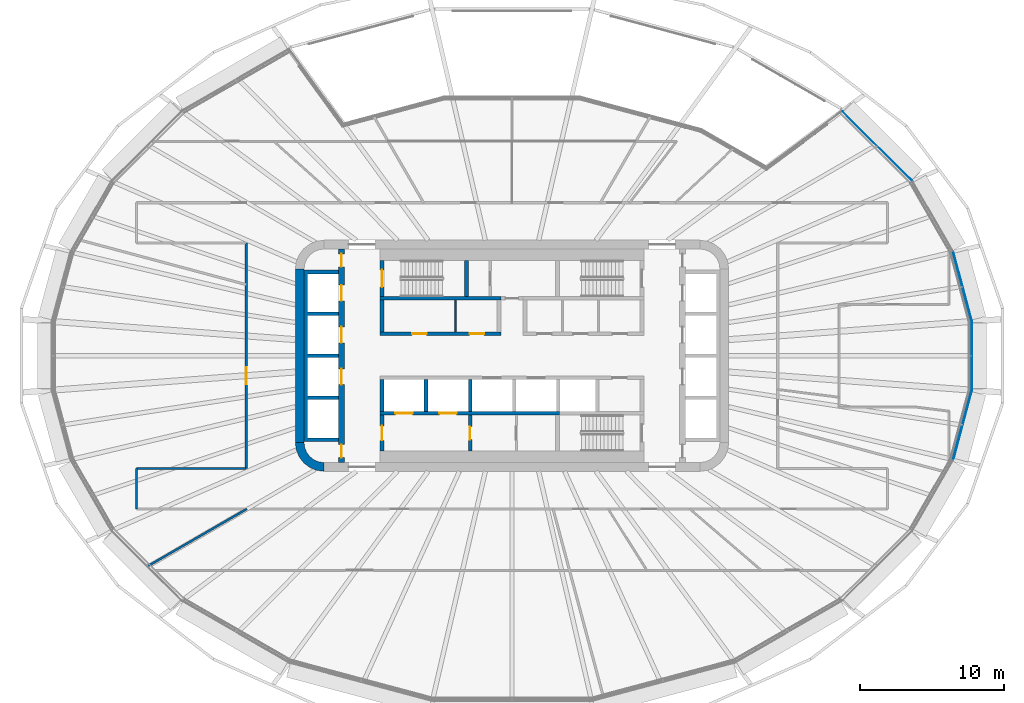
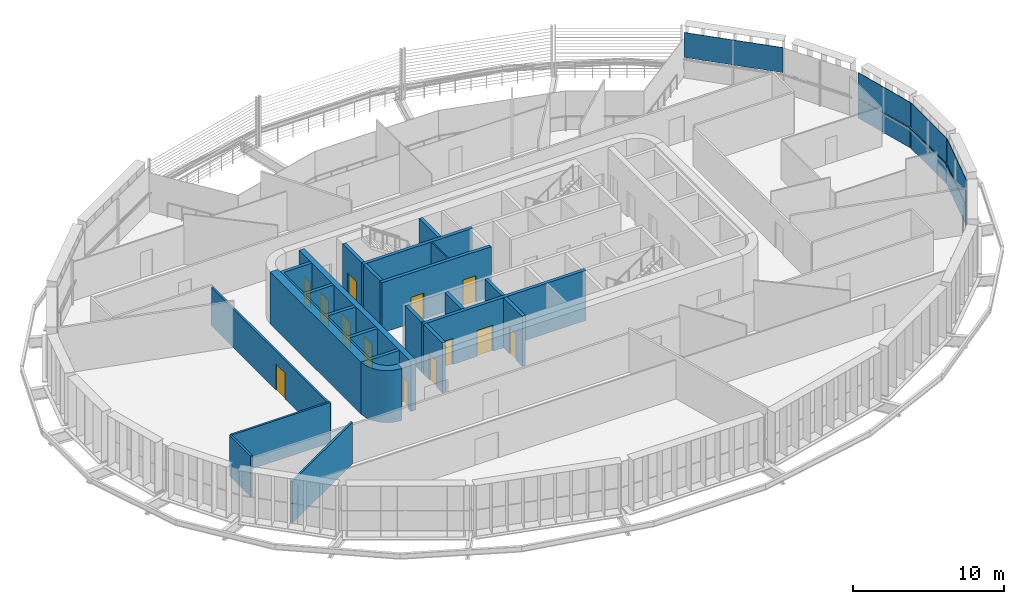
# One storey, part 13 of 24: 20 walls, 13 doors, 7 plates, 13 openings, 4 elements without a shape of their own.
"""IFC4 building model written with IfcOpenShell, lengths in metres."""

from ifc_helpers import new_model, si_unit, direction, frame, frame_2d, origin, place, context, subcontext, project, spatial, polyline, rectangle, outline, extrude, material, layer, layer_set, type_object, element, fill, aggregate, save


model = new_model("IFC4")

# Units and contexts
model_context = context("Model", 3, precision=1e-05, world=origin(), true_north=direction((0.0, 1.0)))
body_context = subcontext(model_context, "Body", "Model", "MODEL_VIEW")
ifc_project = project(units=[si_unit("LENGTHUNIT", "METRE"), si_unit("AREAUNIT", "SQUARE_METRE"), si_unit("VOLUMEUNIT", "CUBIC_METRE"), si_unit("PLANEANGLEUNIT", "RADIAN"), si_unit("MASSUNIT", "GRAM", prefix="KILO")], contexts=[model_context])

# Site, building, storey
site_placement = place(None, origin())
site = spatial("IfcSite", under=ifc_project, at=site_placement, CompositionType="ELEMENT")
building_placement = place(site_placement, origin())
building = spatial("IfcBuilding", under=site, at=building_placement, Name="Sahrelin Media Tower", CompositionType="ELEMENT")
storey_placement = place(building_placement, frame((0.0, 0.0, 123.0)))
storey = spatial("IfcBuildingStorey", under=building, at=storey_placement, Name="L24", CompositionType="ELEMENT", Elevation=123.0)

# Curtain wall, plate
ifc_material_1 = material(Name="Champagne anodised aluminium 6063-T6", Category="aluminium")
ifc_layer_1 = layer(ifc_material_1, 0.14990234375)
ifc_layer_set_1 = layer_set([ifc_layer_1], Name="Tower ribbon curtain wall")
curtain_wall_type = type_object("IfcCurtainWallType", Name="Tower ribbon curtain wall", PredefinedType="NOTDEFINED", material=ifc_layer_set_1)
curtain_wall_1_placement = place(storey_placement, frame((31.84228515625, 0.0, 0.0), z_axis=(0.0, 0.0, 1.0), x_axis=(1.0, 0.0, 0.0)))
curtain_wall_1 = element("IfcCurtainWall", 1, at=curtain_wall_1_placement, inside=storey, type_object=curtain_wall_type, Name="L24:CW:L24-00", PredefinedType="NOTDEFINED")
ifc_material_2 = material(Name="Clear low-iron glazing", Category="glass")
ifc_layer_2 = layer(ifc_material_2, 0.0400390625)
ifc_layer_set_2 = layer_set([ifc_layer_2], Name="Glazing panel 40 mm CW1")
plate_type_1 = type_object("IfcPlateType", Name="Glazing panel 40 mm CW1", PredefinedType="CURTAIN_PANEL", material=ifc_layer_set_2)
plate_1_placement = place(storey_placement, frame((31.8623046875, -2.3291015625, 1.6298828125), z_axis=(1.0, 0.0, 0.0), x_axis=(0.0, 1.0, 0.0)))
plate_1 = element("IfcPlate", 2, at=plate_1_placement, type_object=plate_type_1, Name="L24:CWP2:L24-00", PredefinedType="CURTAIN_PANEL", context=body_context, shape_type="SweptSolid", body=[
    extrude(outline(polyline([(0.0, 0.0), (4.658203125, 0.0), (4.658203125, 2.018798828125), (0.0, 2.018798828125), (0.0, 0.0)])), origin(), (0.0, 0.0, -1.0), 0.0400390625),
])

curtain_wall_2_placement = place(storey_placement, frame((31.198486328125, 4.78271484375, 0.0), z_axis=(0.0, 0.0, 1.0), x_axis=(1.0, 0.0, 0.0)))
curtain_wall_2 = element("IfcCurtainWall", 3, at=curtain_wall_2_placement, inside=storey, type_object=curtain_wall_type, Name="L24:CW:L24-01", PredefinedType="NOTDEFINED")
plate_2_placement = place(storey_placement, frame((31.848876953125, 2.4326171875, 1.6298828125), z_axis=(0.965923469749, 0.25882783967, 0.0), x_axis=(-0.25882783967, 0.965923469749, 0.0)))
plate_2 = element("IfcPlate", 4, at=plate_2_placement, type_object=plate_type_1, Name="L24:CWP2:L24-01", PredefinedType="CURTAIN_PANEL", context=body_context, shape_type="SweptSolid", body=[
    extrude(outline(polyline([(0.0, 0.0), (4.876708984375, 0.0), (4.876708984375, 2.018798828125), (0.0, 2.018798828125), (0.0, 0.0)])), origin(), (0.0, 0.0, -1.0), 0.0400390625),
])

curtain_wall_3_placement = place(storey_placement, frame((25.291259765625, 14.52197265625, 0.0), z_axis=(0.0, 0.0, 1.0), x_axis=(1.0, 0.0, 0.0)))
curtain_wall_3 = element("IfcCurtainWall", 5, at=curtain_wall_3_placement, inside=storey, type_object=curtain_wall_type, Name="L24:CW:L24-03", PredefinedType="NOTDEFINED")
plate_3_placement = place(storey_placement, frame((27.701904296875, 12.139404296875, 1.6298828125), z_axis=(0.707124788617, 0.707088773297, 0.0), x_axis=(-0.707088773297, 0.707124788617, 0.0)))
plate_3 = element("IfcPlate", 6, at=plate_3_placement, type_object=plate_type_1, Name="L24:CWP2:L24-03", PredefinedType="CURTAIN_PANEL", context=body_context, shape_type="SweptSolid", body=[
    extrude(outline(polyline([(0.0, 0.0), (6.77880859375, 0.0), (6.77880859375, 2.018798828125), (0.0, 2.018798828125), (0.0, 0.0)])), origin(), (0.0, 0.0, -1.0), 0.0400390625),
])
aggregate(curtain_wall_3, [plate_3])

curtain_wall_4_placement = place(storey_placement, frame((31.198486328125, -4.78271484375, 0.0), z_axis=(0.0, 0.0, 1.0), x_axis=(1.0, 0.0, 0.0)))
curtain_wall_4 = element("IfcCurtainWall", 7, at=curtain_wall_4_placement, inside=storey, type_object=curtain_wall_type, Name="L24:CW:L24-23", PredefinedType="NOTDEFINED")
plate_4_placement = place(storey_placement, frame((30.586669921875, -7.14306640625, 1.6298828125), z_axis=(0.965923469749, -0.25882783967, 0.0), x_axis=(0.25882783967, 0.965923469749, 0.0)))
plate_4 = element("IfcPlate", 8, at=plate_4_placement, type_object=plate_type_1, Name="L24:CWP2:L24-23", PredefinedType="CURTAIN_PANEL", context=body_context, shape_type="SweptSolid", body=[
    extrude(outline(polyline([(0.0, 0.0), (4.876708984375, 0.0), (4.876708984375, 2.018798828125), (0.0, 2.018798828125), (0.0, 0.0)])), origin(), (0.0, 0.0, -1.0), 0.0400390625),
])

# Plate
ifc_material_3 = material(Name="Insulated spandrel panel")
ifc_layer_3 = layer(ifc_material_3, 0.06005859375)
ifc_layer_set_3 = layer_set([ifc_layer_3], Name="Spandrel panel 60 mm CW1")
plate_type_2 = type_object("IfcPlateType", Name="Spandrel panel 60 mm CW1", PredefinedType="SHEET", material=ifc_layer_set_3)
plate_5_placement = place(storey_placement, frame((31.8623046875, -2.3291015625, 0.0), z_axis=(1.0, 0.0, 0.0), x_axis=(0.0, 1.0, 0.0)))
plate_5 = element("IfcPlate", 9, at=plate_5_placement, type_object=plate_type_2, Name="L24:CWP1:L24-00", PredefinedType="SHEET", context=body_context, shape_type="SweptSolid", body=[
    extrude(outline(polyline([(0.0, 0.0), (4.658203125, 0.0), (4.658203125, 1.570068359375), (0.0, 1.570068359375), (0.0, 0.0)])), origin(), (0.0, 0.0, -1.0), 0.06005859375),
])

aggregate(curtain_wall_1, [plate_5, plate_1])

plate_6_placement = place(storey_placement, frame((31.848876953125, 2.4326171875, 0.0), z_axis=(0.965923469749, 0.25882783967, 0.0), x_axis=(-0.25882783967, 0.965923469749, 0.0)))
plate_6 = element("IfcPlate", 10, at=plate_6_placement, type_object=plate_type_2, Name="L24:CWP1:L24-01", PredefinedType="SHEET", context=body_context, shape_type="SweptSolid", body=[
    extrude(outline(polyline([(0.0, 0.0), (4.876708984375, 0.0), (4.876708984375, 1.570068359375), (0.0, 1.570068359375), (0.0, 0.0)])), origin(), (0.0, 0.0, -1.0), 0.06005859375),
])

aggregate(curtain_wall_2, [plate_6, plate_2])

plate_7_placement = place(storey_placement, frame((30.586669921875, -7.14306640625, 0.0), z_axis=(0.965923469749, -0.25882783967, 0.0), x_axis=(0.25882783967, 0.965923469749, 0.0)))
plate_7 = element("IfcPlate", 11, at=plate_7_placement, type_object=plate_type_2, Name="L24:CWP1:L24-23", PredefinedType="SHEET", context=body_context, shape_type="SweptSolid", body=[
    extrude(outline(polyline([(0.0, 0.0), (4.876708984375, 0.0), (4.876708984375, 1.570068359375), (0.0, 1.570068359375), (0.0, 0.0)])), origin(), (0.0, 0.0, -1.0), 0.06005859375),
])

aggregate(curtain_wall_4, [plate_7, plate_4])

# Walls
ifc_material_4 = material(Name="Concrete C60/75", Category="concrete")
ifc_layer_4 = layer(ifc_material_4, 0.60009765625)
ifc_layer_set_4 = layer_set([ifc_layer_4], Name="Core wall 600")
wall_type_1 = type_object("IfcWallType", Name="Core wall 600", PredefinedType="SHEAR", material=ifc_layer_set_4)
wall_1_placement = place(storey_placement, frame((-14.699951171875, -6.0, 0.0), z_axis=(0.0, 0.0, 1.0), x_axis=(0.0, 1.0, 0.0)))
element("IfcWall", 12, at=wall_1_placement, inside=storey, type_object=wall_type_1, Name="Core wall W L24", PredefinedType="SHEAR", context=body_context, shape_type="SweptSolid", body=[
    extrude(rectangle(XDim=12.0, YDim=0.60009765625, at=frame_2d((6.0, 0.0))), origin(), (0.0, 0.0, 1.0), 4.199951171875),
])
placement = place(storey_placement, origin())
element("IfcWall", 13, at=placement, inside=storey, type_object=wall_type_1, Name="Core wall corner SW L24", PredefinedType="SHEAR", context=body_context, shape_type="SweptSolid", body=[
    extrude(outline(polyline([(-13.0, -8.0), (-13.0, -7.394775390625), (-13.361083984375, -7.347412109375), (-13.697509765625, -7.2080078125), (-13.986328125, -6.986328125), (-14.2080078125, -6.697509765625), (-14.347412109375, -6.361083984375), (-14.394775390625, -6.0), (-15.0, -6.0), (-14.931884765625, -6.517578125), (-14.732177734375, -7.0), (-14.414306640625, -7.414306640625), (-14.0, -7.732177734375), (-13.517578125, -7.931884765625), (-13.0, -8.0)])), origin(), (0.0, 0.0, 1.0), 4.199951171875),
])

# Wall, openings, doors
ifc_material_5 = material(Name="Fire-rated gypsum board partition")
ifc_layer_5 = layer(ifc_material_5, 0.25)
ifc_layer_set_5 = layer_set([ifc_layer_5], Name="Fire-rated lobby wall 250")
wall_type_2 = type_object("IfcWallType", Name="Fire-rated lobby wall 250", PredefinedType="PARTITIONING", material=ifc_layer_set_5)
wall_3_placement = place(storey_placement, frame((-9.125, 1.52490234375, 0.0), z_axis=(0.0, 0.0, 1.0), x_axis=(1.0, 0.0, 0.0)))
wall_3 = element("IfcWall", 14, at=wall_3_placement, inside=storey, type_object=wall_type_2, Name="Core lobby wall", PredefinedType="PARTITIONING", context=body_context, shape_type="SweptSolid", body=[
    extrude(rectangle(XDim=8.35009765625, YDim=0.25, at=frame_2d((4.175048828125, 0.0))), origin(), (0.0, 0.0, 1.0), 4.050048828125),
])
opening_1_placement = place(wall_3_placement, frame((2.21240234375, 0.0, 0.0)))
opening_1 = element("IfcOpeningElement", 15, at=opening_1_placement, cuts=wall_3, Name="Opening L24-D09", PredefinedType="OPENING", context=body_context, shape_type="SweptSolid", body=[
    extrude(rectangle(XDim=1.0, YDim=2.10009765625, at=frame_2d((0.5, 1.050048828125))), frame((0.0, 0.125, 0.0), z_axis=(0.0, -1.0, 0.0), x_axis=(1.0, 0.0, 0.0)), (0.0, 0.0, 1.0), 0.25),
])
opening_2_placement = place(wall_3_placement, frame((6.1875, 0.0, 0.0)))
opening_2 = element("IfcOpeningElement", 16, at=opening_2_placement, cuts=wall_3, Name="Opening L24-D10", PredefinedType="OPENING", context=body_context, shape_type="SweptSolid", body=[
    extrude(rectangle(XDim=1.0, YDim=2.10009765625, at=frame_2d((0.5, 1.050048828125))), frame((0.0, 0.125, 0.0), z_axis=(0.0, -1.0, 0.0), x_axis=(1.0, 0.0, 0.0)), (0.0, 0.0, 1.0), 0.25),
])
ifc_material_6 = material(Name="Steel fire door leaf", Category="steel")
door_type_1 = type_object("IfcDoorType", Name="Fire door 1000 x 2100 EI 60", OperationType="NOTDEFINED", PredefinedType="DOOR", material=ifc_material_6)
door_1_placement = place(opening_1_placement, origin())
door_1 = element("IfcDoor", 17, at=door_1_placement, inside=storey, type_object=door_type_1, Name="Core room door", OperationType="SINGLE_SWING_LEFT", OverallHeight=2.10009765625, OverallWidth=1.0, PredefinedType="DOOR", context=body_context, shape_type="SweptSolid", body=[
    extrude(rectangle(XDim=1.0, YDim=2.10009765625, at=frame_2d((0.5, 1.050048828125))), frame((0.0, 0.02490234375, 0.0), z_axis=(0.0, -1.0, 0.0), x_axis=(1.0, 0.0, 0.0)), (0.0, 0.0, 1.0), 0.050048828125),
])
fill(opening_1, door_1)
door_2_placement = place(opening_2_placement, origin())
door_2 = element("IfcDoor", 18, at=door_2_placement, inside=storey, type_object=door_type_1, Name="Core room door", OperationType="SINGLE_SWING_LEFT", OverallHeight=2.10009765625, OverallWidth=1.0, PredefinedType="DOOR", context=body_context, shape_type="SweptSolid", body=[
    extrude(rectangle(XDim=1.0, YDim=2.10009765625, at=frame_2d((0.5, 1.050048828125))), frame((0.0, 0.02490234375, 0.0), z_axis=(0.0, -1.0, 0.0), x_axis=(1.0, 0.0, 0.0)), (0.0, 0.0, 1.0), 0.050048828125),
])
fill(opening_2, door_2)

# Walls
wall_4_placement = place(storey_placement, frame((-9.0, 1.64990234375, 0.0), z_axis=(0.0, 0.0, 1.0), x_axis=(0.0, 1.0, 0.0)))
element("IfcWall", 19, at=wall_4_placement, inside=storey, type_object=wall_type_2, Name="Core lobby wall", PredefinedType="PARTITIONING", context=body_context, shape_type="SweptSolid", body=[
    extrude(rectangle(XDim=2.2001953125, YDim=0.25, at=frame_2d((1.10009765625, 0.0))), origin(), (0.0, 0.0, 1.0), 4.050048828125),
])
ifc_layer_6 = layer(ifc_material_5, 0.10009765625)
ifc_layer_set_6 = layer_set([ifc_layer_6], Name="Fire-rated partition 100")
wall_type_3 = type_object("IfcWallType", Name="Fire-rated partition 100", PredefinedType="PARTITIONING", material=ifc_layer_set_6)
wall_5_placement = place(storey_placement, frame((-3.89990234375, 1.64990234375, 0.0), z_axis=(0.0, 0.0, 1.0), x_axis=(0.0, 1.0, 0.0)))
element("IfcWall", 20, at=wall_5_placement, inside=storey, type_object=wall_type_3, Name="Core room partition", PredefinedType="PARTITIONING", context=body_context, shape_type="SweptSolid", body=[
    extrude(rectangle(XDim=2.2001953125, YDim=0.10009765625, at=frame_2d((1.10009765625, 0.0))), origin(), (0.0, 0.0, 1.0), 4.050048828125),
])
ifc_layer_7 = layer(ifc_material_5, 0.14990234375)
ifc_layer_set_7 = layer_set([ifc_layer_7], Name="Fire-rated partition 150")
wall_type_4 = type_object("IfcWallType", Name="Fire-rated partition 150", PredefinedType="PARTITIONING", material=ifc_layer_set_7)
wall_6_placement = place(storey_placement, frame((-26.0, -7.800048828125, 0.0), z_axis=(0.0, 0.0, 1.0), x_axis=(1.0, 0.0, 0.0)))
element("IfcWall", 21, at=wall_6_placement, inside=storey, type_object=wall_type_4, Name="Wall", PredefinedType="PARTITIONING", context=body_context, shape_type="SweptSolid", body=[
    extrude(rectangle(XDim=7.60009765625, YDim=0.14990234375, at=frame_2d((3.800048828125, 0.0))), origin(), (0.0, 0.0, 1.0), 3.27587890625),
])
wall_7_placement = place(storey_placement, frame((-25.239990234375, -14.572998046875, 0.0), z_axis=(0.0, 0.0, 1.0), x_axis=(0.866020312459, 0.500008818331, 0.0)))
element("IfcWall", 22, at=wall_7_placement, inside=storey, type_object=wall_type_4, Name="Wall", PredefinedType="PARTITIONING", context=body_context, shape_type="SweptSolid", body=[
    extrude(rectangle(XDim=7.945556640625, YDim=0.14990234375, at=frame_2d((3.97265625, 0.0))), origin(), (0.0, 0.0, 1.0), 3.352294921875),
])

# Wall, opening, door
wall_8_placement = place(storey_placement, frame((-18.39990234375, -7.800048828125, 0.0), z_axis=(0.0, 0.0, 1.0), x_axis=(0.0, 1.0, 0.0)))
wall_8 = element("IfcWall", 23, at=wall_8_placement, inside=storey, type_object=wall_type_4, Name="Wall", PredefinedType="PARTITIONING", context=body_context, shape_type="SweptSolid", body=[
    extrude(rectangle(XDim=15.60009765625, YDim=0.14990234375, at=frame_2d((7.800048828125, 0.0))), origin(), (0.0, 0.0, 1.0), 3.1181640625),
])
opening_3_placement = place(wall_8_placement, frame((5.815185546875, 0.0, 0.0)))
opening_3 = element("IfcOpeningElement", 24, at=opening_3_placement, cuts=wall_8, Name="Opening L24-D41", PredefinedType="OPENING", context=body_context, shape_type="SweptSolid", body=[
    extrude(rectangle(XDim=1.199951171875, YDim=2.10009765625, at=frame_2d((0.60009765625, 1.050048828125))), frame((0.0, 0.074951171875, 0.0), z_axis=(0.0, -1.0, 0.0), x_axis=(1.0, 0.0, 0.0)), (0.0, 0.0, 1.0), 0.14990234375),
])
door_type_2 = type_object("IfcDoorType", Name="Service double door 1200 x 2100 EI 60", OperationType="DOUBLE_DOOR_SINGLE_SWING", PredefinedType="DOOR", material=ifc_material_6)
door_3_placement = place(opening_3_placement, origin())
door_3 = element("IfcDoor", 25, at=door_3_placement, inside=storey, type_object=door_type_2, Name="Service double door", OperationType="DOUBLE_DOOR_SINGLE_SWING", OverallHeight=2.10009765625, OverallWidth=1.199951171875, PredefinedType="DOOR", context=body_context, shape_type="SweptSolid", body=[
    extrude(rectangle(XDim=1.199951171875, YDim=2.10009765625, at=frame_2d((0.60009765625, 1.050048828125))), frame((0.0, 0.02490234375, 0.0), z_axis=(0.0, -1.0, 0.0), x_axis=(1.0, 0.0, 0.0)), (0.0, 0.0, 1.0), 0.050048828125),
])
fill(opening_3, door_3)

# Wall
wall_9_placement = place(storey_placement, frame((-26.0, -10.60009765625, 0.0), z_axis=(0.0, 0.0, 1.0), x_axis=(0.0, 1.0, 0.0)))
element("IfcWall", 26, at=wall_9_placement, inside=storey, type_object=wall_type_4, Name="Wall", PredefinedType="PARTITIONING", context=body_context, shape_type="SweptSolid", body=[
    extrude(rectangle(XDim=2.800048828125, YDim=0.14990234375, at=frame_2d((1.39990234375, 0.0))), origin(), (0.0, 0.0, 1.0), 3.27587890625),
])

# Wall, opening, door
ifc_layer_8 = layer(ifc_material_5, 0.25)
ifc_layer_set_8 = layer_set([ifc_layer_8], Name="Firefighting lobby wall 250")
wall_type_5 = type_object("IfcWallType", Name="Firefighting lobby wall 250", PredefinedType="PARTITIONING", material=ifc_layer_set_8)
wall_10_placement = place(storey_placement, frame((-9.0, -6.60009765625, 0.0), z_axis=(0.0, 0.0, 1.0), x_axis=(0.0, 1.0, 0.0)))
wall_10 = element("IfcWall", 27, at=wall_10_placement, inside=storey, type_object=wall_type_5, Name="Core wall", PredefinedType="PARTITIONING", context=body_context, shape_type="SweptSolid", body=[
    extrude(rectangle(XDim=2.5, YDim=0.25, at=frame_2d((1.25, 0.0))), origin(), (0.0, 0.0, 1.0), 4.050048828125),
])
opening_4_placement = place(wall_10_placement, frame((0.75, 0.0, 0.0)))
opening_4 = element("IfcOpeningElement", 28, at=opening_4_placement, cuts=wall_10, Name="Opening L24-D04", PredefinedType="OPENING", context=body_context, shape_type="SweptSolid", body=[
    extrude(rectangle(XDim=1.0, YDim=2.10009765625, at=frame_2d((0.5, 1.050048828125))), frame((0.0, 0.125, 0.0), z_axis=(0.0, -1.0, 0.0), x_axis=(1.0, 0.0, 0.0)), (0.0, 0.0, 1.0), 0.25),
])
door_type_3 = type_object("IfcDoorType", Name="Firefighting lobby door 1000 x 2100 EI 120", OperationType="NOTDEFINED", PredefinedType="DOOR", material=ifc_material_6)
door_4_placement = place(opening_4_placement, origin())
door_4 = element("IfcDoor", 29, at=door_4_placement, inside=storey, type_object=door_type_3, Name="Firefighting lobby door", OperationType="SINGLE_SWING_LEFT", OverallHeight=2.10009765625, OverallWidth=1.0, PredefinedType="DOOR", context=body_context, shape_type="SweptSolid", body=[
    extrude(rectangle(XDim=1.0, YDim=2.10009765625, at=frame_2d((0.5, 1.050048828125))), frame((0.0, 0.02490234375, 0.0), z_axis=(0.0, -1.0, 0.0), x_axis=(1.0, 0.0, 0.0)), (0.0, 0.0, 1.0), 0.050048828125),
])
fill(opening_4, door_4)

wall_11_placement = place(storey_placement, frame((-2.89990234375, -6.60009765625, 0.0), z_axis=(0.0, 0.0, 1.0), x_axis=(0.0, 1.0, 0.0)))
wall_11 = element("IfcWall", 30, at=wall_11_placement, inside=storey, type_object=wall_type_5, Name="Core wall", PredefinedType="PARTITIONING", context=body_context, shape_type="SweptSolid", body=[
    extrude(rectangle(XDim=2.5, YDim=0.25, at=frame_2d((1.25, 0.0))), origin(), (0.0, 0.0, 1.0), 4.050048828125),
])
opening_5_placement = place(wall_11_placement, frame((0.800048828125, 0.0, 0.0)))
opening_5 = element("IfcOpeningElement", 31, at=opening_5_placement, cuts=wall_11, Name="Opening L24-D05", PredefinedType="OPENING", context=body_context, shape_type="SweptSolid", body=[
    extrude(rectangle(XDim=0.89990234375, YDim=2.10009765625, at=frame_2d((0.449951171875, 1.050048828125))), frame((0.0, 0.125, 0.0), z_axis=(0.0, -1.0, 0.0), x_axis=(1.0, 0.0, 0.0)), (0.0, 0.0, 1.0), 0.25),
])
door_type_4 = type_object("IfcDoorType", Name="Firefighting lobby door 900 x 2100 EI 120", OperationType="NOTDEFINED", PredefinedType="DOOR", material=ifc_material_6)
door_5_placement = place(opening_5_placement, origin())
door_5 = element("IfcDoor", 32, at=door_5_placement, inside=storey, type_object=door_type_4, Name="Riser door", OperationType="SINGLE_SWING_RIGHT", OverallHeight=2.10009765625, OverallWidth=0.89990234375, PredefinedType="DOOR", context=body_context, shape_type="SweptSolid", body=[
    extrude(rectangle(XDim=0.89990234375, YDim=2.10009765625, at=frame_2d((0.449951171875, 1.050048828125))), frame((0.0, 0.02490234375, 0.0), z_axis=(0.0, -1.0, 0.0), x_axis=(1.0, 0.0, 0.0)), (0.0, 0.0, 1.0), 0.050048828125),
])
fill(opening_5, door_5)

# Wall, openings, doors
ifc_layer_9 = layer(ifc_material_4, 0.25)
ifc_layer_set_9 = layer_set([ifc_layer_9], Name="Lift shaft wall 250")
wall_type_6 = type_object("IfcWallType", Name="Lift shaft wall 250", PredefinedType="SOLIDWALL", material=ifc_layer_set_9)
wall_12_placement = place(storey_placement, frame((-9.125, -3.97509765625, 0.0), z_axis=(0.0, 0.0, 1.0), x_axis=(1.0, 0.0, 0.0)))
wall_12 = element("IfcWall", 33, at=wall_12_placement, inside=storey, type_object=wall_type_6, Name="Lift shaft wall", PredefinedType="SOLIDWALL", context=body_context, shape_type="SweptSolid", body=[
    extrude(rectangle(XDim=12.39990234375, YDim=0.25, at=frame_2d((6.199951171875, 0.0))), origin(), (0.0, 0.0, 1.0), 4.050048828125),
])
opening_6_placement = place(wall_12_placement, frame((1.050048828125, 0.0, 0.0)))
opening_6 = element("IfcOpeningElement", 34, at=opening_6_placement, cuts=wall_12, Name="Opening L24-LD-FF1", PredefinedType="OPENING", context=body_context, shape_type="SweptSolid", body=[
    extrude(rectangle(XDim=1.199951171875, YDim=2.10009765625, at=frame_2d((0.60009765625, 1.050048828125))), frame((0.0, 0.125, 0.0), z_axis=(0.0, -1.0, 0.0), x_axis=(1.0, 0.0, 0.0)), (0.0, 0.0, 1.0), 0.25),
])
opening_7_placement = place(wall_12_placement, frame((4.10009765625, 0.0, 0.0)))
opening_7 = element("IfcOpeningElement", 35, at=opening_7_placement, cuts=wall_12, Name="Opening L24-LD-FF2", PredefinedType="OPENING", context=body_context, shape_type="SweptSolid", body=[
    extrude(rectangle(XDim=1.199951171875, YDim=2.10009765625, at=frame_2d((0.60009765625, 1.050048828125))), frame((0.0, 0.125, 0.0), z_axis=(0.0, -1.0, 0.0), x_axis=(1.0, 0.0, 0.0)), (0.0, 0.0, 1.0), 0.25),
])
ifc_material_7 = material(Name="Stainless steel", Category="steel")
door_type_5 = type_object("IfcDoorType", Name="Lift landing door 1200 x 2100 EI 120", OperationType="DOUBLE_DOOR_SLIDING", PredefinedType="DOOR", material=ifc_material_7)
door_6_placement = place(opening_6_placement, origin())
door_6 = element("IfcDoor", 36, at=door_6_placement, inside=storey, type_object=door_type_5, Name="Lift landing door FF1", OperationType="DOUBLE_DOOR_SLIDING", OverallHeight=2.10009765625, OverallWidth=1.199951171875, PredefinedType="DOOR", context=body_context, shape_type="SweptSolid", body=[
    extrude(rectangle(XDim=1.199951171875, YDim=2.10009765625, at=frame_2d((0.60009765625, 1.050048828125))), frame((0.0, 0.02490234375, 0.0), z_axis=(0.0, -1.0, 0.0), x_axis=(1.0, 0.0, 0.0)), (0.0, 0.0, 1.0), 0.050048828125),
])
fill(opening_6, door_6)
door_7_placement = place(opening_7_placement, origin())
door_7 = element("IfcDoor", 37, at=door_7_placement, inside=storey, type_object=door_type_5, Name="Lift landing door FF2", OperationType="DOUBLE_DOOR_SLIDING", OverallHeight=2.10009765625, OverallWidth=1.199951171875, PredefinedType="DOOR", context=body_context, shape_type="SweptSolid", body=[
    extrude(rectangle(XDim=1.199951171875, YDim=2.10009765625, at=frame_2d((0.60009765625, 1.050048828125))), frame((0.0, 0.02490234375, 0.0), z_axis=(0.0, -1.0, 0.0), x_axis=(1.0, 0.0, 0.0)), (0.0, 0.0, 1.0), 0.050048828125),
])
fill(opening_7, door_7)

# Walls
for number, where, z_axis, x_axis, name in (
    (38, (-9.0, -3.85009765625, 0.0), (0.0, 0.0, 1.0), (0.0, 1.0, 0.0), "Lift shaft wall"),
    (39, (-5.949951171875, -3.85009765625, 0.0), (0.0, 0.0, 1.0), (0.0, 1.0, 0.0), "Lift shaft wall"),
    (40, (-2.89990234375, -3.85009765625, 0.0), (0.0, 0.0, 1.0), (0.0, 1.0, 0.0), "Lift shaft wall"),
):
    element("IfcWall", number, at=place(storey_placement, frame(where, z_axis=z_axis, x_axis=x_axis)), inside=storey, type_object=wall_type_6, Name=name, PredefinedType="SOLIDWALL", context=body_context, shape_type="SweptSolid", body=[
        extrude(rectangle(XDim=2.2001953125, YDim=0.25, at=frame_2d((1.10009765625, 0.0))), origin(), (0.0, 0.0, 1.0), 4.050048828125),
    ])
element("IfcWall", 41, at=placement, inside=storey, type_object=wall_type_6, Name="Lift shaft wall", PredefinedType="SOLIDWALL", context=body_context, shape_type="SweptSolid", body=[
    extrude(outline(polyline([(-12.0, -5.925048828125), (-12.0, -5.675048828125), (-14.14990234375, -5.675048828125), (-14.14990234375, -3.02490234375), (-12.0, -3.02490234375), (-12.0, -2.77490234375), (-14.14990234375, -2.77490234375), (-14.14990234375, -0.125), (-12.0, -0.125), (-12.0, 0.125), (-14.14990234375, 0.125), (-14.14990234375, 2.77490234375), (-12.0, 2.77490234375), (-12.0, 3.02490234375), (-14.14990234375, 3.02490234375), (-14.14990234375, 5.675048828125), (-12.0, 5.675048828125), (-12.0, 5.925048828125), (-14.14990234375, 5.925048828125), (-14.39990234375, 5.925048828125), (-14.39990234375, 5.675048828125), (-14.39990234375, 3.02490234375), (-14.39990234375, 2.77490234375), (-14.39990234375, 0.125), (-14.39990234375, -0.125), (-14.39990234375, -2.77490234375), (-14.39990234375, -3.02490234375), (-14.39990234375, -5.675048828125), (-14.39990234375, -5.925048828125), (-14.14990234375, -5.925048828125), (-12.0, -5.925048828125)])), origin(), (0.0, 0.0, 1.0), 4.050048828125),
])

# Wall, openings, doors
ifc_layer_10 = layer(ifc_material_4, 0.39990234375)
ifc_layer_set_10 = layer_set([ifc_layer_10], Name="Lift shaft wall 400")
wall_type_7 = type_object("IfcWallType", Name="Lift shaft wall 400", PredefinedType="SOLIDWALL", material=ifc_layer_set_10)
wall_14_placement = place(storey_placement, frame((-11.800048828125, -7.39990234375, 0.0), z_axis=(0.0, 0.0, 1.0), x_axis=(0.0, 1.0, 0.0)))
wall_14 = element("IfcWall", 42, at=wall_14_placement, inside=storey, type_object=wall_type_7, Name="Lift shaft wall", PredefinedType="SOLIDWALL", context=body_context, shape_type="SweptSolid", body=[
    extrude(rectangle(XDim=14.7998046875, YDim=0.39990234375, at=frame_2d((7.39990234375, 0.0))), origin(), (0.0, 0.0, 1.0), 4.050048828125),
])
opening_8_placement = place(wall_14_placement, frame((11.199951171875, 0.0, 0.0)))
opening_8 = element("IfcOpeningElement", 43, at=opening_8_placement, cuts=wall_14, Name="Opening L24-LD-LR1", PredefinedType="OPENING", context=body_context, shape_type="SweptSolid", body=[
    extrude(rectangle(XDim=1.10009765625, YDim=2.10009765625, at=frame_2d((0.550048828125, 1.050048828125))), frame((0.0, 0.199951171875, 0.0), z_axis=(0.0, -1.0, 0.0), x_axis=(1.0, 0.0, 0.0)), (0.0, 0.0, 1.0), 0.39990234375),
])
opening_9_placement = place(wall_14_placement, frame((8.300048828125, 0.0, 0.0)))
opening_9 = element("IfcOpeningElement", 44, at=opening_9_placement, cuts=wall_14, Name="Opening L24-LD-LR2", PredefinedType="OPENING", context=body_context, shape_type="SweptSolid", body=[
    extrude(rectangle(XDim=1.10009765625, YDim=2.10009765625, at=frame_2d((0.550048828125, 1.050048828125))), frame((0.0, 0.199951171875, 0.0), z_axis=(0.0, -1.0, 0.0), x_axis=(1.0, 0.0, 0.0)), (0.0, 0.0, 1.0), 0.39990234375),
])
opening_10_placement = place(wall_14_placement, frame((5.39990234375, 0.0, 0.0)))
opening_10 = element("IfcOpeningElement", 45, at=opening_10_placement, cuts=wall_14, Name="Opening L24-LD-LR3", PredefinedType="OPENING", context=body_context, shape_type="SweptSolid", body=[
    extrude(rectangle(XDim=1.10009765625, YDim=2.10009765625, at=frame_2d((0.550048828125, 1.050048828125))), frame((0.0, 0.199951171875, 0.0), z_axis=(0.0, -1.0, 0.0), x_axis=(1.0, 0.0, 0.0)), (0.0, 0.0, 1.0), 0.39990234375),
])
opening_11_placement = place(wall_14_placement, frame((13.552490234375, 0.0, 0.0)))
opening_11 = element("IfcOpeningElement", 46, at=opening_11_placement, cuts=wall_14, Name="Opening L24-D15", PredefinedType="OPENING", context=body_context, shape_type="SweptSolid", body=[
    extrude(rectangle(XDim=0.89990234375, YDim=2.10009765625, at=frame_2d((0.449951171875, 1.050048828125))), frame((0.0, 0.199951171875, 0.0), z_axis=(0.0, -1.0, 0.0), x_axis=(1.0, 0.0, 0.0)), (0.0, 0.0, 1.0), 0.39990234375),
])
opening_12_placement = place(wall_14_placement, frame((0.347412109375, 0.0, 0.0)))
opening_12 = element("IfcOpeningElement", 47, at=opening_12_placement, cuts=wall_14, Name="Opening L24-D16", PredefinedType="OPENING", context=body_context, shape_type="SweptSolid", body=[
    extrude(rectangle(XDim=0.89990234375, YDim=2.10009765625, at=frame_2d((0.449951171875, 1.050048828125))), frame((0.0, 0.199951171875, 0.0), z_axis=(0.0, -1.0, 0.0), x_axis=(1.0, 0.0, 0.0)), (0.0, 0.0, 1.0), 0.39990234375),
])
door_type_6 = type_object("IfcDoorType", Name="Lift landing door 1100 x 2100 EI 120", OperationType="DOUBLE_DOOR_SLIDING", PredefinedType="DOOR", material=ifc_material_7)
door_8_placement = place(opening_8_placement, origin())
door_8 = element("IfcDoor", 48, at=door_8_placement, inside=storey, type_object=door_type_6, Name="Lift landing door LR1", OperationType="DOUBLE_DOOR_SLIDING", OverallHeight=2.10009765625, OverallWidth=1.10009765625, PredefinedType="DOOR", context=body_context, shape_type="SweptSolid", body=[
    extrude(rectangle(XDim=1.10009765625, YDim=2.10009765625, at=frame_2d((0.550048828125, 1.050048828125))), frame((0.0, 0.02490234375, 0.0), z_axis=(0.0, -1.0, 0.0), x_axis=(1.0, 0.0, 0.0)), (0.0, 0.0, 1.0), 0.050048828125),
])
fill(opening_8, door_8)
door_9_placement = place(opening_9_placement, origin())
door_9 = element("IfcDoor", 49, at=door_9_placement, inside=storey, type_object=door_type_6, Name="Lift landing door LR2", OperationType="DOUBLE_DOOR_SLIDING", OverallHeight=2.10009765625, OverallWidth=1.10009765625, PredefinedType="DOOR", context=body_context, shape_type="SweptSolid", body=[
    extrude(rectangle(XDim=1.10009765625, YDim=2.10009765625, at=frame_2d((0.550048828125, 1.050048828125))), frame((0.0, 0.02490234375, 0.0), z_axis=(0.0, -1.0, 0.0), x_axis=(1.0, 0.0, 0.0)), (0.0, 0.0, 1.0), 0.050048828125),
])
fill(opening_9, door_9)
door_10_placement = place(opening_10_placement, origin())
door_10 = element("IfcDoor", 50, at=door_10_placement, inside=storey, type_object=door_type_6, Name="Lift landing door LR3", OperationType="DOUBLE_DOOR_SLIDING", OverallHeight=2.10009765625, OverallWidth=1.10009765625, PredefinedType="DOOR", context=body_context, shape_type="SweptSolid", body=[
    extrude(rectangle(XDim=1.10009765625, YDim=2.10009765625, at=frame_2d((0.550048828125, 1.050048828125))), frame((0.0, 0.02490234375, 0.0), z_axis=(0.0, -1.0, 0.0), x_axis=(1.0, 0.0, 0.0)), (0.0, 0.0, 1.0), 0.050048828125),
])
fill(opening_10, door_10)
door_type_7 = type_object("IfcDoorType", Name="Riser door 900 x 2100 EI 120", OperationType="NOTDEFINED", PredefinedType="DOOR", material=ifc_material_6)
door_11_placement = place(opening_11_placement, origin())
door_11 = element("IfcDoor", 51, at=door_11_placement, inside=storey, type_object=door_type_7, Name="Riser door", OperationType="SINGLE_SWING_LEFT", OverallHeight=2.10009765625, OverallWidth=0.89990234375, PredefinedType="DOOR", context=body_context, shape_type="SweptSolid", body=[
    extrude(rectangle(XDim=0.89990234375, YDim=2.10009765625, at=frame_2d((0.449951171875, 1.050048828125))), frame((0.0, 0.02490234375, 0.0), z_axis=(0.0, -1.0, 0.0), x_axis=(1.0, 0.0, 0.0)), (0.0, 0.0, 1.0), 0.050048828125),
])
fill(opening_11, door_11)
door_12_placement = place(opening_12_placement, origin())
door_12 = element("IfcDoor", 52, at=door_12_placement, inside=storey, type_object=door_type_7, Name="Riser door", OperationType="SINGLE_SWING_LEFT", OverallHeight=2.10009765625, OverallWidth=0.89990234375, PredefinedType="DOOR", context=body_context, shape_type="SweptSolid", body=[
    extrude(rectangle(XDim=0.89990234375, YDim=2.10009765625, at=frame_2d((0.449951171875, 1.050048828125))), frame((0.0, 0.02490234375, 0.0), z_axis=(0.0, -1.0, 0.0), x_axis=(1.0, 0.0, 0.0)), (0.0, 0.0, 1.0), 0.050048828125),
])
fill(opening_12, door_12)

# Wall, opening, door
ifc_layer_11 = layer(ifc_material_4, 0.25)
ifc_layer_set_11 = layer_set([ifc_layer_11], Name="Stair enclosure wall 250")
wall_type_8 = type_object("IfcWallType", Name="Stair enclosure wall 250", PredefinedType="SOLIDWALL", material=ifc_layer_set_11)
wall_15_placement = place(storey_placement, frame((-9.0, 4.10009765625, 0.0), z_axis=(0.0, 0.0, 1.0), x_axis=(0.0, 1.0, 0.0)))
wall_15 = element("IfcWall", 53, at=wall_15_placement, inside=storey, type_object=wall_type_8, Name="Stair enclosure wall", PredefinedType="SOLIDWALL", context=body_context, shape_type="SweptSolid", body=[
    extrude(rectangle(XDim=2.5, YDim=0.25, at=frame_2d((1.25, 0.0))), origin(), (0.0, 0.0, 1.0), 4.050048828125),
])
opening_13_placement = place(wall_15_placement, frame((0.64990234375, 0.0, 0.0)))
opening_13 = element("IfcOpeningElement", 54, at=opening_13_placement, cuts=wall_15, Name="Opening L24-D01", PredefinedType="OPENING", context=body_context, shape_type="SweptSolid", body=[
    extrude(rectangle(XDim=1.199951171875, YDim=2.10009765625, at=frame_2d((0.60009765625, 1.050048828125))), frame((0.0, 0.125, 0.0), z_axis=(0.0, -1.0, 0.0), x_axis=(1.0, 0.0, 0.0)), (0.0, 0.0, 1.0), 0.25),
])
door_type_8 = type_object("IfcDoorType", Name="Stair door 1200 x 2100 EI 120", OperationType="NOTDEFINED", PredefinedType="DOOR", material=ifc_material_6)
door_13_placement = place(opening_13_placement, origin())
door_13 = element("IfcDoor", 55, at=door_13_placement, inside=storey, type_object=door_type_8, Name="Stair door ST1", OperationType="SINGLE_SWING_RIGHT", OverallHeight=2.10009765625, OverallWidth=1.199951171875, PredefinedType="DOOR", context=body_context, shape_type="SweptSolid", body=[
    extrude(rectangle(XDim=1.199951171875, YDim=2.10009765625, at=frame_2d((0.60009765625, 1.050048828125))), frame((0.0, 0.02490234375, 0.0), z_axis=(0.0, -1.0, 0.0), x_axis=(1.0, 0.0, 0.0)), (0.0, 0.0, 1.0), 0.050048828125),
])
fill(opening_13, door_13)

# Walls
wall_16_placement = place(storey_placement, frame((-3.14990234375, 4.10009765625, 0.0), z_axis=(0.0, 0.0, 1.0), x_axis=(0.0, 1.0, 0.0)))
element("IfcWall", 56, at=wall_16_placement, inside=storey, type_object=wall_type_8, Name="Stair enclosure wall", PredefinedType="SOLIDWALL", context=body_context, shape_type="SweptSolid", body=[
    extrude(rectangle(XDim=2.5, YDim=0.25, at=frame_2d((1.25, 0.0))), origin(), (0.0, 0.0, 1.0), 4.050048828125),
])
wall_17_placement = place(storey_placement, frame((-9.125, 3.97509765625, 0.0), z_axis=(0.0, 0.0, 1.0), x_axis=(1.0, 0.0, 0.0)))
element("IfcWall", 57, at=wall_17_placement, inside=storey, type_object=wall_type_8, Name="Stair enclosure wall", PredefinedType="SOLIDWALL", context=body_context, shape_type="SweptSolid", body=[
    extrude(rectangle(XDim=8.35009765625, YDim=0.25, at=frame_2d((4.175048828125, 0.0))), origin(), (0.0, 0.0, 1.0), 4.050048828125),
])

save(model, "model.ifc")
